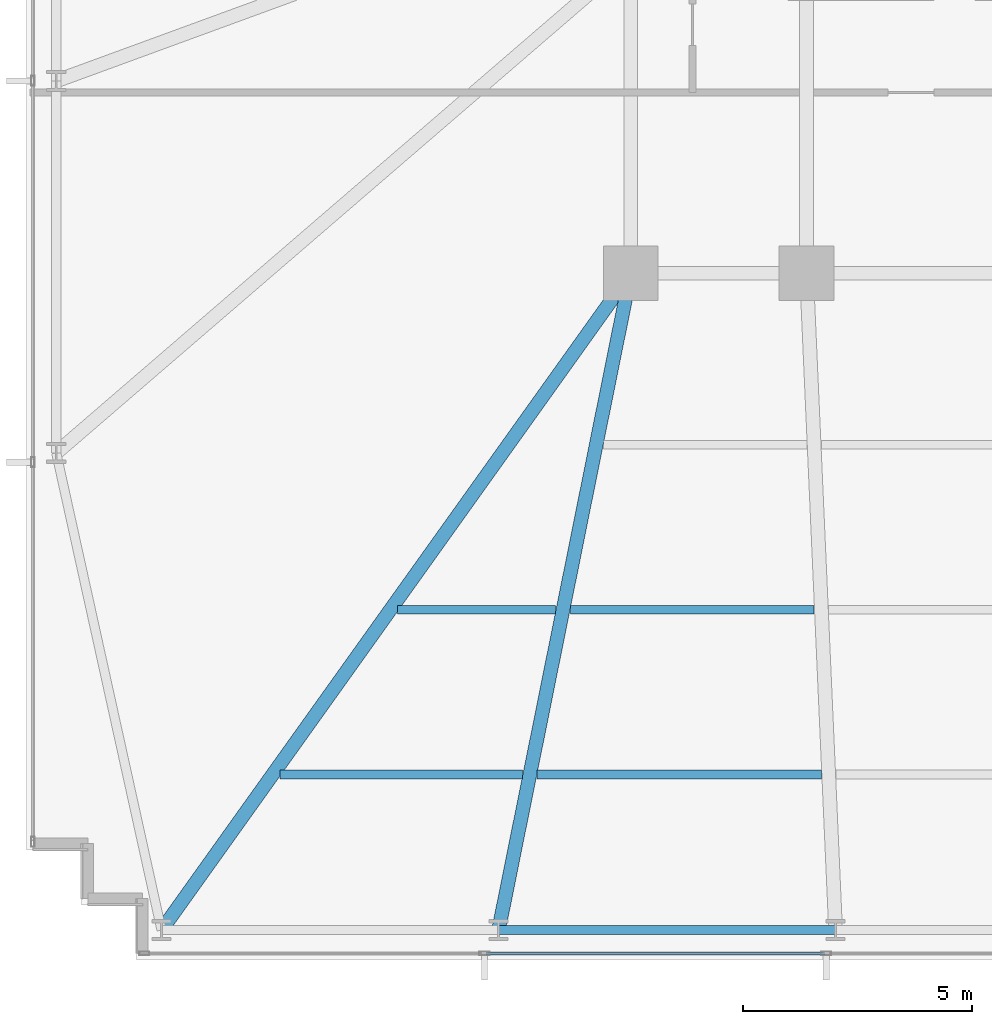
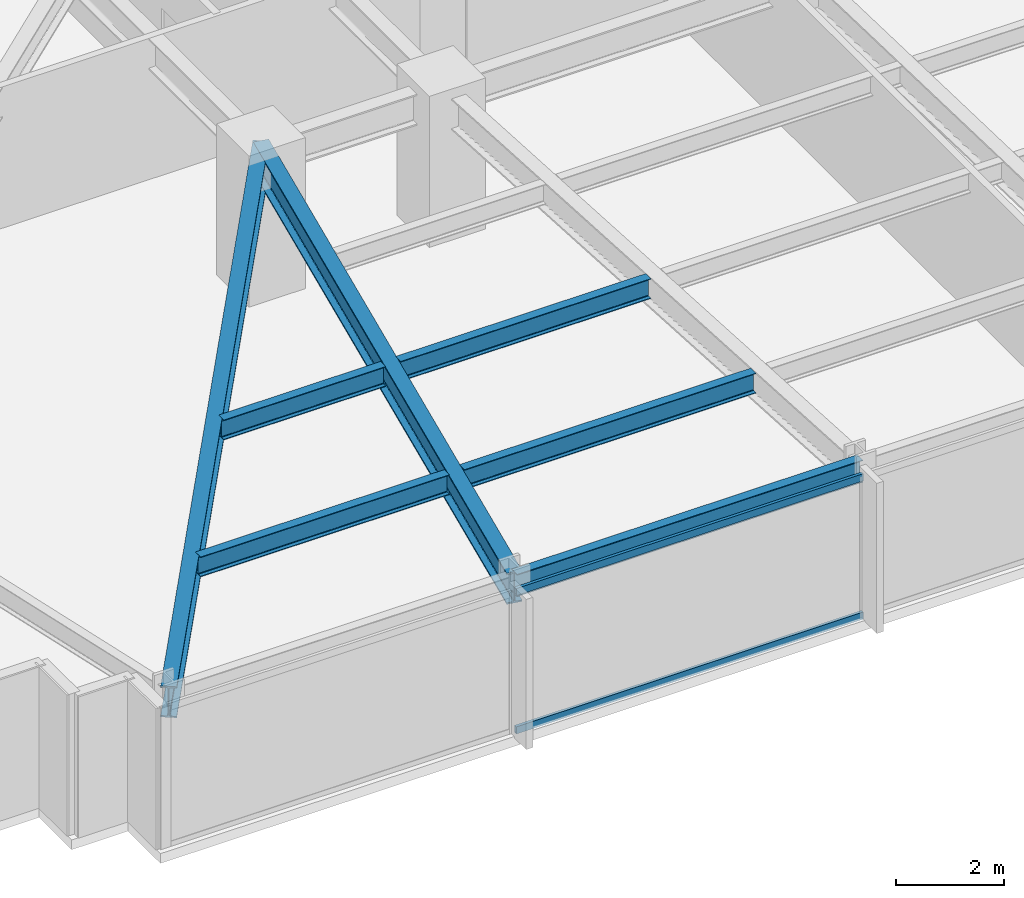
# One storey, part 3 of 33: 7 beams, 2 members, 1 element without a shape of its own.
"""IFC4 building model written with IfcOpenShell, lengths in metres."""

from ifc_helpers import new_model, si_unit, direction, frame, origin, origin_2d, place, context, subcontext, project, spatial, hollow_rectangle, i_section, extrude, material, material_profile, profile_set, type_object, element, aggregate, save


model = new_model("IFC4")

# Units and contexts
model_context = context("Model", 3, precision=1e-05, world=origin(), true_north=direction((0.0, 1.0)))
body_context = subcontext(model_context, "Body", "Model", "MODEL_VIEW")
ifc_project = project(units=[si_unit("LENGTHUNIT", "METRE"), si_unit("AREAUNIT", "SQUARE_METRE"), si_unit("VOLUMEUNIT", "CUBIC_METRE"), si_unit("PLANEANGLEUNIT", "RADIAN"), si_unit("MASSUNIT", "GRAM", prefix="KILO")], contexts=[model_context])

# Site, building, storey
site_placement = place(None, origin())
site = spatial("IfcSite", under=ifc_project, at=site_placement, CompositionType="ELEMENT")
building_placement = place(site_placement, origin())
building = spatial("IfcBuilding", under=site, at=building_placement, Name="Yelkora Congress Tower", CompositionType="ELEMENT")
storey_placement = place(building_placement, frame((0.0, 0.0, 64.39990234375)))
storey = spatial("IfcBuildingStorey", under=building, at=storey_placement, Name="L16", CompositionType="ELEMENT", Elevation=64.39990234375)

# Beams
ifc_material_1 = material(Name="Steel S355J2", Category="steel")
ifc_material_profile_1 = material_profile(ifc_material_1, i_section(OverallWidth=0.300048828125, OverallDepth=0.699951171875, WebThickness=0.01708984375, FlangeThickness=0.031982421875, FilletRadius=0.027099609375, at=origin_2d()), Name="HEB 700")
ifc_profile_set_1 = profile_set([ifc_material_profile_1], Name="Steel S355J2")
beam_type_1 = type_object("IfcBeamType", Name="BM-GIRD-HEB700", PredefinedType="BEAM", material=ifc_profile_set_1)
beam_1_placement = place(storey_placement, frame((8.949951171875, 10.85009765625, 2.830078125), z_axis=(0.581242122521, 0.813730664906, 0.0), x_axis=(-0.813730664906, 0.581242122521, 0.0)))
element("IfcBeam", 1, at=beam_1_placement, inside=storey, type_object=beam_type_1, Name="L16 Primary Frame Girder S01", PredefinedType="BEAM", context=body_context, shape_type="SweptSolid", body=[
    extrude(i_section(OverallWidth=0.300048828125, OverallDepth=0.699951171875, WebThickness=0.01708984375, FlangeThickness=0.031982421875, FilletRadius=0.027099609375, at=origin_2d()), origin(), (0.0, 0.0, 1.0), 17.634765625),
])
beam_2_placement = place(storey_placement, frame((16.3125, 10.85009765625, 2.830078125), z_axis=(0.197264295931, 0.980350344291, 0.0), x_axis=(-0.980350344291, 0.197264295931, 0.0)))
element("IfcBeam", 2, at=beam_2_placement, inside=storey, type_object=beam_type_1, Name="L16 Primary Frame Girder S02", PredefinedType="BEAM", context=body_context, shape_type="SweptSolid", body=[
    extrude(i_section(OverallWidth=0.300048828125, OverallDepth=0.699951171875, WebThickness=0.01708984375, FlangeThickness=0.031982421875, FilletRadius=0.027099609375, at=origin_2d()), origin(), (0.0, 0.0, 1.0), 14.637451171875),
])
ifc_material_profile_2 = material_profile(ifc_material_1, i_section(OverallWidth=0.18994140625, OverallDepth=0.449951171875, WebThickness=0.009521484375, FlangeThickness=0.0146484375, FilletRadius=0.02099609375, at=origin_2d()), Name="IPE 450")
ifc_profile_set_2 = profile_set([ifc_material_profile_2], Name="Steel S355J2")
beam_type_2 = type_object("IfcBeamType", Name="BM-JOIST-IPE450", PredefinedType="JOIST", material=ifc_profile_set_2)
beam_3_placement = place(storey_placement, frame((11.53857421875, 14.25, 2.955078125), z_axis=(1.0, 0.0, 0.0), x_axis=(0.0, 1.0, 0.0)))
element("IfcBeam", 3, at=beam_3_placement, inside=storey, type_object=beam_type_2, Name="L16 Composite Floor Joist 1", PredefinedType="JOIST", context=body_context, shape_type="SweptSolid", body=[
    extrude(i_section(OverallWidth=0.18994140625, OverallDepth=0.449951171875, WebThickness=0.009521484375, FlangeThickness=0.0146484375, FilletRadius=0.02099609375, at=origin_2d()), origin(), (0.0, 0.0, 1.0), 5.298095703125),
])
beam_4_placement = place(storey_placement, frame((17.156494140625, 14.25, 2.955078125), z_axis=(1.0, 0.0, 0.0), x_axis=(0.0, 1.0, 0.0)))
element("IfcBeam", 4, at=beam_4_placement, inside=storey, type_object=beam_type_2, Name="L16 Composite Floor Joist 2", PredefinedType="JOIST", context=body_context, shape_type="SweptSolid", body=[
    extrude(i_section(OverallWidth=0.18994140625, OverallDepth=0.449951171875, WebThickness=0.009521484375, FlangeThickness=0.0146484375, FilletRadius=0.02099609375, at=origin_2d()), origin(), (0.0, 0.0, 1.0), 6.2080078125),
])
beam_5_placement = place(storey_placement, frame((14.110107421875, 17.85009765625, 2.955078125), z_axis=(1.0, 0.0, 0.0), x_axis=(0.0, 1.0, 0.0)))
element("IfcBeam", 5, at=beam_5_placement, inside=storey, type_object=beam_type_2, Name="L16 Composite Floor Joist 9", PredefinedType="JOIST", context=body_context, shape_type="SweptSolid", body=[
    extrude(i_section(OverallWidth=0.18994140625, OverallDepth=0.449951171875, WebThickness=0.009521484375, FlangeThickness=0.0146484375, FilletRadius=0.02099609375, at=origin_2d()), origin(), (0.0, 0.0, 1.0), 3.450927734375),
])
beam_6_placement = place(storey_placement, frame((17.881103515625, 17.85009765625, 2.955078125), z_axis=(1.0, 0.0, 0.0), x_axis=(0.0, 1.0, 0.0)))
element("IfcBeam", 6, at=beam_6_placement, inside=storey, type_object=beam_type_2, Name="L16 Composite Floor Joist 10", PredefinedType="JOIST", context=body_context, shape_type="SweptSolid", body=[
    extrude(i_section(OverallWidth=0.18994140625, OverallDepth=0.449951171875, WebThickness=0.009521484375, FlangeThickness=0.0146484375, FilletRadius=0.02099609375, at=origin_2d()), origin(), (0.0, 0.0, 1.0), 5.323974609375),
])
ifc_material_profile_3 = material_profile(ifc_material_1, i_section(OverallWidth=0.199951171875, OverallDepth=0.5, WebThickness=0.01025390625, FlangeThickness=0.01611328125, FilletRadius=0.02099609375, at=origin_2d()), Name="IPE 500")
ifc_profile_set_3 = profile_set([ifc_material_profile_3], Name="Steel S355J2")
beam_type_3 = type_object("IfcBeamType", Name="BM-SPAN-IPE500", PredefinedType="SPANDREL", material=ifc_profile_set_3)
beam_7_placement = place(storey_placement, frame((16.3125, 10.85009765625, 2.93017578125), z_axis=(1.0, 0.0, 0.0), x_axis=(0.0, 1.0, 0.0)))
element("IfcBeam", 7, at=beam_7_placement, inside=storey, type_object=beam_type_3, Name="L16 Perimeter Beam 3", PredefinedType="SPANDREL", context=body_context, shape_type="SweptSolid", body=[
    extrude(i_section(OverallWidth=0.199951171875, OverallDepth=0.5, WebThickness=0.01025390625, FlangeThickness=0.01611328125, FilletRadius=0.02099609375, at=origin_2d()), origin(), (0.0, 0.0, 1.0), 7.362548828125),
])

# Curtain wall, members
ifc_material_2 = material(Name="Anodised aluminium and insulated glass", Category="aluminium")
curtain_wall_type = type_object("IfcCurtainWallType", Name="CW-SYS-B1", PredefinedType="NOTDEFINED", material=ifc_material_2)
curtain_wall_placement = place(storey_placement, origin())
curtain_wall = element("IfcCurtainWall", 8, at=curtain_wall_placement, inside=storey, type_object=curtain_wall_type, Name="L16 Unitised Curtain Wall 20", PredefinedType="NOTDEFINED")
ifc_material_3 = material(Name="Anodised aluminium 6063-T6", Category="aluminium")
ifc_material_profile_4 = material_profile(ifc_material_3, hollow_rectangle(XDim=0.06494140625, YDim=0.159912109375, WallThickness=0.00390625, at=origin_2d()), Name="ALU 65x160x4")
ifc_profile_set_4 = profile_set([ifc_material_profile_4], Name="Anodised aluminium 6063-T6")
member_type = type_object("IfcMemberType", Name="MEM-TR-B1", PredefinedType="USERDEFINED", material=ifc_profile_set_4)
member_1_placement = place(storey_placement, frame((23.4326171875, 10.340087890625, 0.03271484375), z_axis=(-1.0, 0.0, 0.0), x_axis=(0.0, -1.0, 0.0)))
member_1 = element("IfcMember", 9, at=member_1_placement, type_object=member_type, Name="CW-B1 transom 7.1", ObjectType="TRANSOM", PredefinedType="USERDEFINED", context=body_context, shape_type="SweptSolid", body=[
    extrude(hollow_rectangle(XDim=0.06494140625, YDim=0.159912109375, WallThickness=0.00390625, at=origin_2d()), origin(), (0.0, 0.0, 1.0), 7.39013671875),
])
member_2_placement = place(storey_placement, frame((23.4326171875, 10.340087890625, 3.147705078125), z_axis=(-1.0, 0.0, 0.0), x_axis=(0.0, -1.0, 0.0)))
member_2 = element("IfcMember", 10, at=member_2_placement, type_object=member_type, Name="CW-B1 transom 7.2", ObjectType="TRANSOM", PredefinedType="USERDEFINED", context=body_context, shape_type="SweptSolid", body=[
    extrude(hollow_rectangle(XDim=0.06494140625, YDim=0.159912109375, WallThickness=0.00390625, at=origin_2d()), origin(), (0.0, 0.0, 1.0), 7.39013671875),
])
aggregate(curtain_wall, [member_1, member_2])

save(model, "model.ifc")
